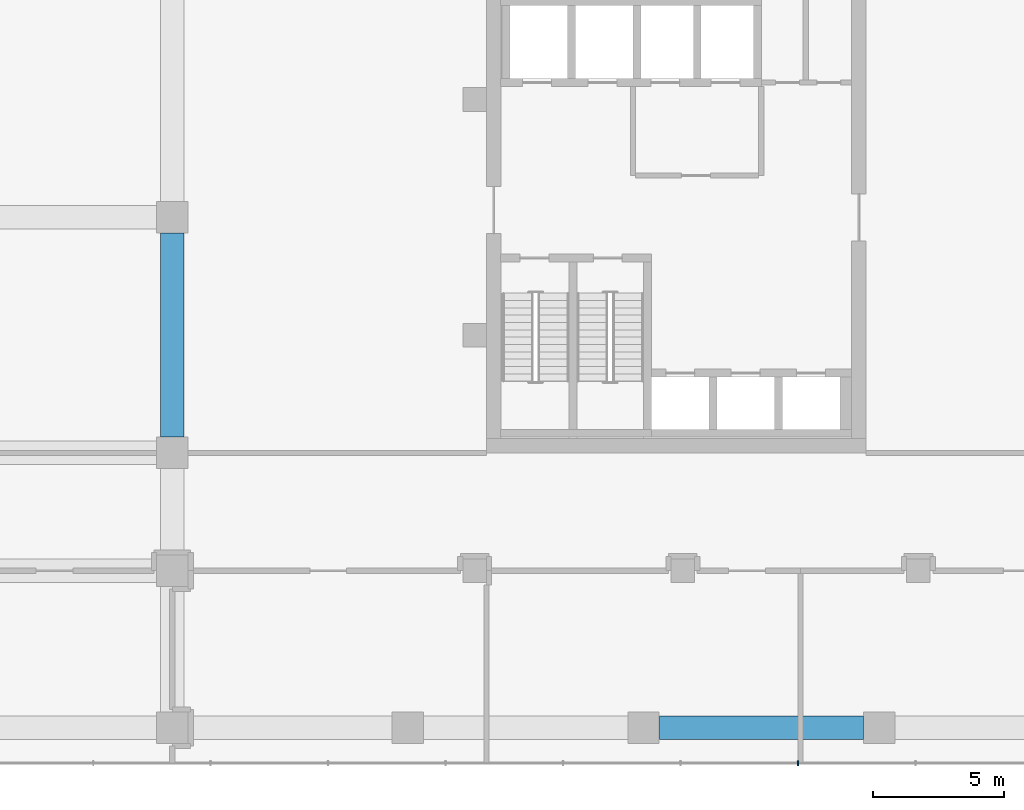
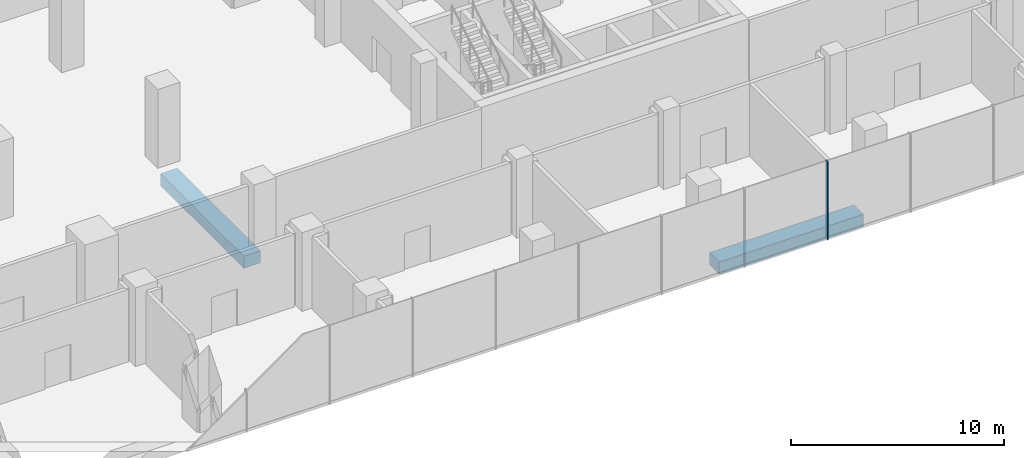
# One storey, part 14 of 43: 2 beams, 1 member, 1 element without a shape of its own.
"""IFC4 building model written with IfcOpenShell, lengths in metres."""

from ifc_helpers import new_model, si_unit, direction, frame, origin, origin_2d, place, context, subcontext, project, spatial, rectangle, extrude, material, layer, layer_set, material_profile, profile_set, type_object, element, aggregate, save


model = new_model("IFC4")

# Units and contexts
model_context = context("Model", 3, precision=1e-05, world=origin(), true_north=direction((0.0, 1.0)))
body_context = subcontext(model_context, "Body", "Model", "MODEL_VIEW")
ifc_project = project(units=[si_unit("LENGTHUNIT", "METRE"), si_unit("AREAUNIT", "SQUARE_METRE"), si_unit("VOLUMEUNIT", "CUBIC_METRE"), si_unit("PLANEANGLEUNIT", "RADIAN"), si_unit("MASSUNIT", "GRAM", prefix="KILO")], contexts=[model_context])

# Site, building, storey
site_placement = place(None, origin())
site = spatial("IfcSite", under=ifc_project, at=site_placement, CompositionType="ELEMENT")
building_placement = place(site_placement, origin())
building = spatial("IfcBuilding", under=site, at=building_placement, Name="Plateau Cross Towers", CompositionType="ELEMENT")
storey_placement = place(building_placement, frame((0.0, 0.0, 17.300048828125)))
storey = spatial("IfcBuildingStorey", under=building, at=storey_placement, Name="L03", CompositionType="ELEMENT", Elevation=17.300048828125)

# Curtain wall, member
ifc_material_1 = material(Name="Dark low-iron laminated glass", Category="glass")
ifc_layer = layer(ifc_material_1, 0.300048828125)
ifc_layer_set = layer_set([ifc_layer], Name="Dark low-iron laminated glass")
curtain_wall_type = type_object("IfcCurtainWallType", Name="Curtain wall structural silicone CW-C", PredefinedType="NOTDEFINED", material=ifc_layer_set)
curtain_wall_placement = place(storey_placement, origin())
curtain_wall = element("IfcCurtainWall", 1, at=curtain_wall_placement, inside=storey, type_object=curtain_wall_type, Name="ENV/P/L03/P-28_-118", PredefinedType="NOTDEFINED")
ifc_material_2 = material(Name="Black anodised aluminium", Category="aluminium")
ifc_material_profile_1 = material_profile(ifc_material_2, rectangle(XDim=0.050048828125, YDim=0.199951171875, at=origin_2d()), Name="MULLION 50x200")
ifc_profile_set_1 = profile_set([ifc_material_profile_1], Name="Black anodised aluminium")
member_type = type_object("IfcMemberType", Name="Mullion 50x200 structural silicone", PredefinedType="MULLION", material=ifc_profile_set_1)
member_placement = place(storey_placement, frame((86.89990234375, -11.85009765625, -0.35009765625), z_axis=(0.0, 0.0, 1.0), x_axis=(1.0, 0.0, 0.0)))
member = element("IfcMember", 2, at=member_placement, type_object=member_type, Name="CW-C mullion 21", PredefinedType="MULLION", context=body_context, shape_type="SweptSolid", body=[
    extrude(rectangle(XDim=0.050048828125, YDim=0.199951171875, at=origin_2d()), origin(), (0.0, 0.0, 1.0), 4.5),
])
aggregate(curtain_wall, [member])

# Beams
ifc_material_3 = material(Name="Concrete C50/60", Category="concrete")
ifc_material_profile_2 = material_profile(ifc_material_3, rectangle(XDim=0.89990234375, YDim=0.699951171875, at=origin_2d()), Name="RC 900x700")
ifc_profile_set_2 = profile_set([ifc_material_profile_2], Name="Concrete C50/60")
beam_type = type_object("IfcBeamType", Name="Podium band beam RC 900x700", PredefinedType="BEAM", material=ifc_profile_set_2)
for number, where, z_axis, x_axis, name in (
    (3, (81.60009765625, -10.5, -0.699951171875), (1.0, 0.0, 0.0), (0.0, 1.0, 0.0), "PB11@L03"),
    (4, (63.0, 0.60009765625, -0.699951171875), (0.0, 1.0, 0.0), (-1.0, 0.0, 0.0), "PB150@L03"),
):
    element("IfcBeam", number, at=place(storey_placement, frame(where, z_axis=z_axis, x_axis=x_axis)), inside=storey, type_object=beam_type, Name=name, PredefinedType="BEAM", context=body_context, shape_type="SweptSolid", body=[
        extrude(rectangle(XDim=0.89990234375, YDim=0.699951171875, at=origin_2d()), origin(), (0.0, 0.0, 1.0), 7.7998046875),
    ])

save(model, "model.ifc")
